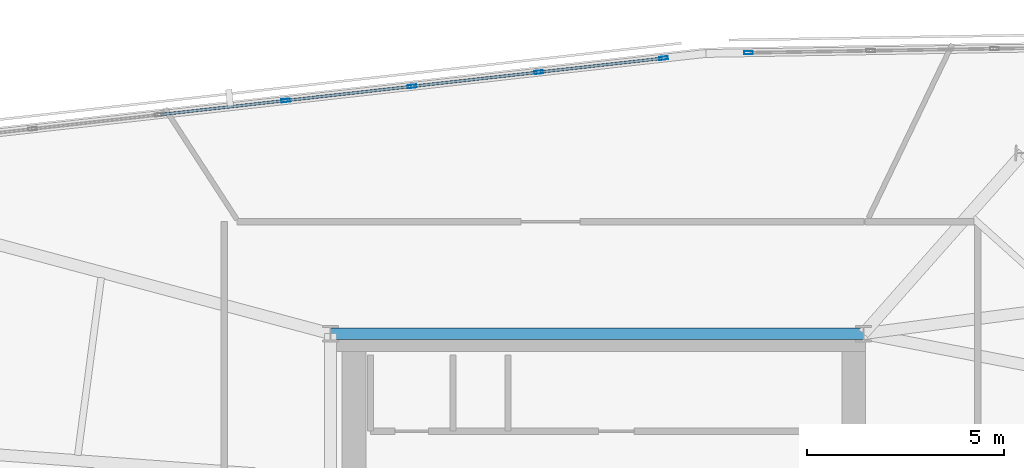
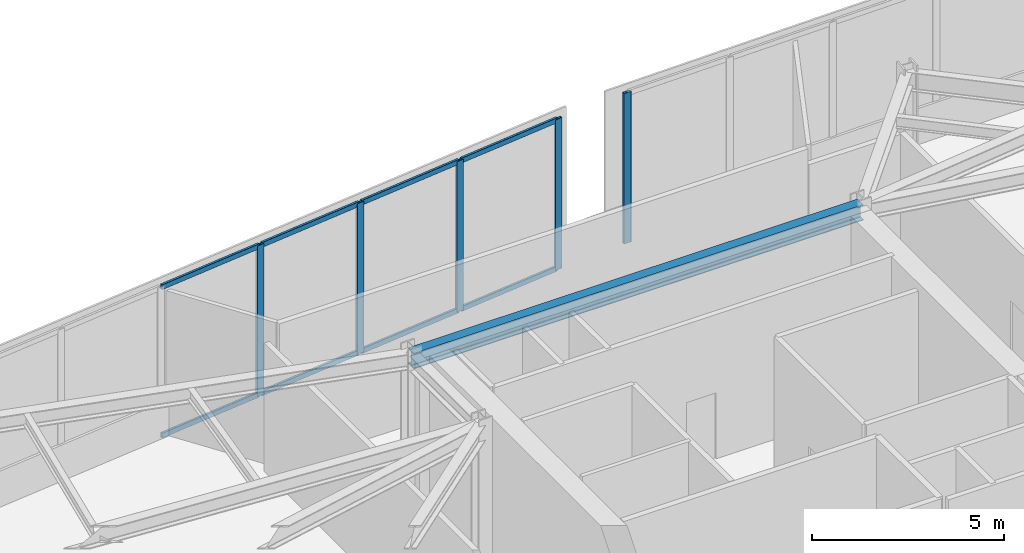
# One storey, part 4 of 12: 13 members, 1 beam, 2 elements without a shape of their own.
"""IFC4 building model written with IfcOpenShell, lengths in metres."""

from ifc_helpers import new_model, si_unit, direction, frame, origin, origin_2d, place, context, subcontext, project, spatial, hollow_rectangle, i_section, extrude, material, material_profile, profile_set, type_object, element, aggregate, save


model = new_model("IFC4")

# Units and contexts
model_context = context("Model", 3, precision=1e-05, world=origin(), true_north=direction((0.0, 1.0)))
body_context = subcontext(model_context, "Body", "Model", "MODEL_VIEW")
ifc_project = project(units=[si_unit("LENGTHUNIT", "METRE"), si_unit("AREAUNIT", "SQUARE_METRE"), si_unit("VOLUMEUNIT", "CUBIC_METRE"), si_unit("PLANEANGLEUNIT", "RADIAN"), si_unit("MASSUNIT", "GRAM", prefix="KILO")], contexts=[model_context])

# Site, building, storey
site_placement = place(None, origin())
site = spatial("IfcSite", under=ifc_project, at=site_placement, CompositionType="ELEMENT")
building_placement = place(site_placement, origin())
building = spatial("IfcBuilding", under=site, at=building_placement, Name="Narakoshi Arena Tower", CompositionType="ELEMENT")
storey_placement = place(building_placement, frame((0.0, 0.0, 302.97998046875)))
storey = spatial("IfcBuildingStorey", under=building, at=storey_placement, Name="L82", CompositionType="ELEMENT", Elevation=302.97998046875)

# Beam
ifc_material_1 = material(Name="Structural steel S355J2", Category="steel")
ifc_material_profile_1 = material_profile(ifc_material_1, i_section(OverallWidth=0.300048828125, OverallDepth=0.5, WebThickness=0.014404296875, FlangeThickness=0.028076171875, FilletRadius=0.027099609375, at=origin_2d()), Name="HE500B")
ifc_profile_set_1 = profile_set([ifc_material_profile_1], Name="Structural steel S355J2")
beam_type = type_object("IfcBeamType", Name="BM-PRI-500", PredefinedType="BEAM", material=ifc_profile_set_1)
beam_placement = place(storey_placement, frame((72.0, 56.5, 4.35009765625), z_axis=(1.0, 0.0, 0.0), x_axis=(0.0, 1.0, 0.0)))
element("IfcBeam", 1, at=beam_placement, inside=storey, type_object=beam_type, Name="L82 Core Perimeter Frame Beam CC5-CC6", PredefinedType="BEAM", context=body_context, shape_type="SweptSolid", body=[
    extrude(i_section(OverallWidth=0.300048828125, OverallDepth=0.5, WebThickness=0.014404296875, FlangeThickness=0.028076171875, FilletRadius=0.027099609375, at=origin_2d()), origin(), (0.0, 0.0, 1.0), 13.550048828125),
])

# Curtain wall, members
ifc_material_2 = material(Name="Anodised bronze aluminium 6063-T6", Category="aluminium")
curtain_wall_type = type_object("IfcCurtainWallType", Name="CW-CRN-FACET", PredefinedType="NOTDEFINED", material=ifc_material_2)
curtain_wall_1_placement = place(storey_placement, origin())
curtain_wall_1 = element("IfcCurtainWall", 2, at=curtain_wall_1_placement, inside=storey, type_object=curtain_wall_type, Name="L82 Slanted-Cut Crown Curtain Wall 5-2", PredefinedType="NOTDEFINED")
ifc_material_profile_2 = material_profile(ifc_material_2, hollow_rectangle(XDim=0.080078125, YDim=0.219970703125, WallThickness=0.0048828125, OuterFilletRadius=0.006103515625, at=origin_2d()), Name="MUL220x80x5")
ifc_profile_set_2 = profile_set([ifc_material_profile_2], Name="Anodised bronze aluminium 6063-T6")
member_type_1 = type_object("IfcMemberType", Name="MEM-MUL-220", PredefinedType="MULLION", material=ifc_profile_set_2)
member_1_placement = place(storey_placement, frame((70.86376953125, 62.42529296875, 0.0), z_axis=(0.0, 0.0, 1.0), x_axis=(-0.11139525537, 0.993776180576, 0.0)))
member_1 = element("IfcMember", 3, at=member_1_placement, type_object=member_type_1, Name="CW-06 mullion 5", PredefinedType="MULLION", context=body_context, shape_type="SweptSolid", body=[
    extrude(hollow_rectangle(XDim=0.080078125, YDim=0.219970703125, WallThickness=0.0048828125, OuterFilletRadius=0.006103515625, at=origin_2d()), origin(), (0.0, 0.0, 1.0), 4.800048828125),
])
member_2_placement = place(storey_placement, frame((74.07958984375, 62.785888671875, 0.0), z_axis=(0.0, 0.0, 1.0), x_axis=(-0.11139525537, 0.993776180576, 0.0)))
member_2 = element("IfcMember", 4, at=member_2_placement, type_object=member_type_1, Name="CW-06 mullion 6", PredefinedType="MULLION", context=body_context, shape_type="SweptSolid", body=[
    extrude(hollow_rectangle(XDim=0.080078125, YDim=0.219970703125, WallThickness=0.0048828125, OuterFilletRadius=0.006103515625, at=origin_2d()), origin(), (0.0, 0.0, 1.0), 4.800048828125),
])
member_3_placement = place(storey_placement, frame((77.295166015625, 63.146240234375, 0.0), z_axis=(0.0, 0.0, 1.0), x_axis=(-0.11139525537, 0.993776180576, 0.0)))
member_3 = element("IfcMember", 5, at=member_3_placement, type_object=member_type_1, Name="CW-06 mullion 7", PredefinedType="MULLION", context=body_context, shape_type="SweptSolid", body=[
    extrude(hollow_rectangle(XDim=0.080078125, YDim=0.219970703125, WallThickness=0.0048828125, OuterFilletRadius=0.006103515625, at=origin_2d()), origin(), (0.0, 0.0, 1.0), 4.800048828125),
])
member_4_placement = place(storey_placement, frame((80.47119140625, 63.502197265625, 0.0), z_axis=(0.0, 0.0, 1.0), x_axis=(-0.11139525537, 0.993776180576, 0.0)))
member_4 = element("IfcMember", 6, at=member_4_placement, type_object=member_type_1, Name="CW-06 mullion 8", PredefinedType="MULLION", context=body_context, shape_type="SweptSolid", body=[
    extrude(hollow_rectangle(XDim=0.080078125, YDim=0.219970703125, WallThickness=0.0048828125, OuterFilletRadius=0.006103515625, at=origin_2d()), origin(), (0.0, 0.0, 1.0), 4.800048828125),
])

# Curtain wall, member
curtain_wall_2_placement = place(storey_placement, origin())
curtain_wall_2 = element("IfcCurtainWall", 7, at=curtain_wall_2_placement, inside=storey, type_object=curtain_wall_type, Name="L82 Slanted-Cut Crown Curtain Wall 6-1", PredefinedType="NOTDEFINED")
member_5_placement = place(storey_placement, frame((82.631103515625, 63.640869140625, 0.0), z_axis=(0.0, 0.0, 1.0), x_axis=(-0.016446618882, 0.999864745217, 0.0)))
member_5 = element("IfcMember", 8, at=member_5_placement, type_object=member_type_1, Name="CW-06 mullion 1", PredefinedType="MULLION", context=body_context, shape_type="SweptSolid", body=[
    extrude(hollow_rectangle(XDim=0.080078125, YDim=0.219970703125, WallThickness=0.0048828125, OuterFilletRadius=0.006103515625, at=origin_2d()), origin(), (0.0, 0.0, 1.0), 4.800048828125),
])
aggregate(curtain_wall_2, [member_5])

# Member
ifc_material_profile_3 = material_profile(ifc_material_2, hollow_rectangle(XDim=0.070068359375, YDim=0.159912109375, WallThickness=0.00390625, OuterFilletRadius=0.0048828125, at=origin_2d()), Name="TRN160x70x4")
ifc_profile_set_3 = profile_set([ifc_material_profile_3], Name="Anodised bronze aluminium 6063-T6")
member_type_2 = type_object("IfcMemberType", Name="MEM-TRN-160", PredefinedType="USERDEFINED", material=ifc_profile_set_3)
member_6_placement = place(storey_placement, frame((67.687744140625, 62.0693359375, 0.034912109375), z_axis=(0.993775713066, 0.111399426033, 0.0), x_axis=(-0.111399426033, 0.993775713066, 0.0)))
member_6 = element("IfcMember", 9, at=member_6_placement, type_object=member_type_2, Name="CW-06 transom 4.1", ObjectType="TRANSOM", PredefinedType="USERDEFINED", context=body_context, shape_type="SweptSolid", body=[
    extrude(hollow_rectangle(XDim=0.070068359375, YDim=0.159912109375, WallThickness=0.00390625, OuterFilletRadius=0.0048828125, at=origin_2d()), origin(), (0.0, 0.0, 1.0), 3.15576171875),
])

member_7_placement = place(storey_placement, frame((67.687744140625, 62.0693359375, 4.76513671875), z_axis=(0.993775713066, 0.111399426033, 0.0), x_axis=(-0.111399426033, 0.993775713066, 0.0)))
member_7 = element("IfcMember", 10, at=member_7_placement, type_object=member_type_2, Name="CW-06 transom 4.2", ObjectType="TRANSOM", PredefinedType="USERDEFINED", context=body_context, shape_type="SweptSolid", body=[
    extrude(hollow_rectangle(XDim=0.070068359375, YDim=0.159912109375, WallThickness=0.00390625, OuterFilletRadius=0.0048828125, at=origin_2d()), origin(), (0.0, 0.0, 1.0), 3.15576171875),
])

member_8_placement = place(storey_placement, frame((70.903564453125, 62.4296875, 0.034912109375), z_axis=(0.993775713066, 0.111399426033, 0.0), x_axis=(-0.111399426033, 0.993775713066, 0.0)))
member_8 = element("IfcMember", 11, at=member_8_placement, type_object=member_type_2, Name="CW-06 transom 5.1", ObjectType="TRANSOM", PredefinedType="USERDEFINED", context=body_context, shape_type="SweptSolid", body=[
    extrude(hollow_rectangle(XDim=0.070068359375, YDim=0.159912109375, WallThickness=0.00390625, OuterFilletRadius=0.0048828125, at=origin_2d()), origin(), (0.0, 0.0, 1.0), 3.15576171875),
])

member_9_placement = place(storey_placement, frame((70.903564453125, 62.4296875, 4.76513671875), z_axis=(0.993775713066, 0.111399426033, 0.0), x_axis=(-0.111399426033, 0.993775713066, 0.0)))
member_9 = element("IfcMember", 12, at=member_9_placement, type_object=member_type_2, Name="CW-06 transom 5.2", ObjectType="TRANSOM", PredefinedType="USERDEFINED", context=body_context, shape_type="SweptSolid", body=[
    extrude(hollow_rectangle(XDim=0.070068359375, YDim=0.159912109375, WallThickness=0.00390625, OuterFilletRadius=0.0048828125, at=origin_2d()), origin(), (0.0, 0.0, 1.0), 3.15576171875),
])

member_10_placement = place(storey_placement, frame((74.119140625, 62.790283203125, 0.034912109375), z_axis=(0.993775713066, 0.111399426033, 0.0), x_axis=(-0.111399426033, 0.993775713066, 0.0)))
member_10 = element("IfcMember", 13, at=member_10_placement, type_object=member_type_2, Name="CW-06 transom 6.1", ObjectType="TRANSOM", PredefinedType="USERDEFINED", context=body_context, shape_type="SweptSolid", body=[
    extrude(hollow_rectangle(XDim=0.070068359375, YDim=0.159912109375, WallThickness=0.00390625, OuterFilletRadius=0.0048828125, at=origin_2d()), origin(), (0.0, 0.0, 1.0), 3.15576171875),
])

member_11_placement = place(storey_placement, frame((74.119140625, 62.790283203125, 4.76513671875), z_axis=(0.993775713066, 0.111399426033, 0.0), x_axis=(-0.111399426033, 0.993775713066, 0.0)))
member_11 = element("IfcMember", 14, at=member_11_placement, type_object=member_type_2, Name="CW-06 transom 6.2", ObjectType="TRANSOM", PredefinedType="USERDEFINED", context=body_context, shape_type="SweptSolid", body=[
    extrude(hollow_rectangle(XDim=0.070068359375, YDim=0.159912109375, WallThickness=0.00390625, OuterFilletRadius=0.0048828125, at=origin_2d()), origin(), (0.0, 0.0, 1.0), 3.15576171875),
])

member_12_placement = place(storey_placement, frame((77.3349609375, 63.150634765625, 0.034912109375), z_axis=(0.993773354848, 0.111420461294, 0.0), x_axis=(-0.111420461294, 0.993773354848, 0.0)))
member_12 = element("IfcMember", 15, at=member_12_placement, type_object=member_type_2, Name="CW-06 transom 7.1", ObjectType="TRANSOM", PredefinedType="USERDEFINED", context=body_context, shape_type="SweptSolid", body=[
    extrude(hollow_rectangle(XDim=0.070068359375, YDim=0.159912109375, WallThickness=0.00390625, OuterFilletRadius=0.0048828125, at=origin_2d()), origin(), (0.0, 0.0, 1.0), 3.11572265625),
])

member_13_placement = place(storey_placement, frame((77.3349609375, 63.150634765625, 4.76513671875), z_axis=(0.993773354848, 0.111420461294, 0.0), x_axis=(-0.111420461294, 0.993773354848, 0.0)))
member_13 = element("IfcMember", 16, at=member_13_placement, type_object=member_type_2, Name="CW-06 transom 7.2", ObjectType="TRANSOM", PredefinedType="USERDEFINED", context=body_context, shape_type="SweptSolid", body=[
    extrude(hollow_rectangle(XDim=0.070068359375, YDim=0.159912109375, WallThickness=0.00390625, OuterFilletRadius=0.0048828125, at=origin_2d()), origin(), (0.0, 0.0, 1.0), 3.11572265625),
])

aggregate(curtain_wall_1, [member_1, member_2, member_3, member_4, member_6, member_7, member_8, member_9, member_10, member_11, member_12, member_13])

save(model, "model.ifc")
